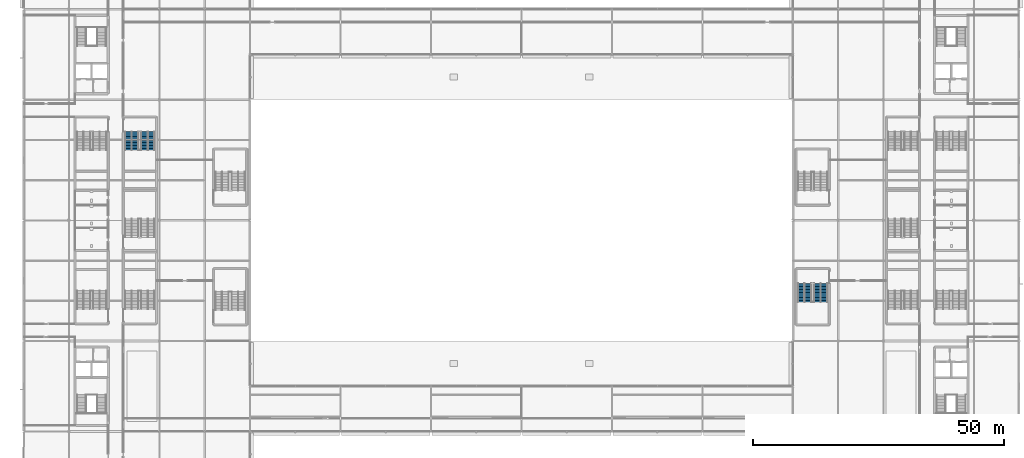
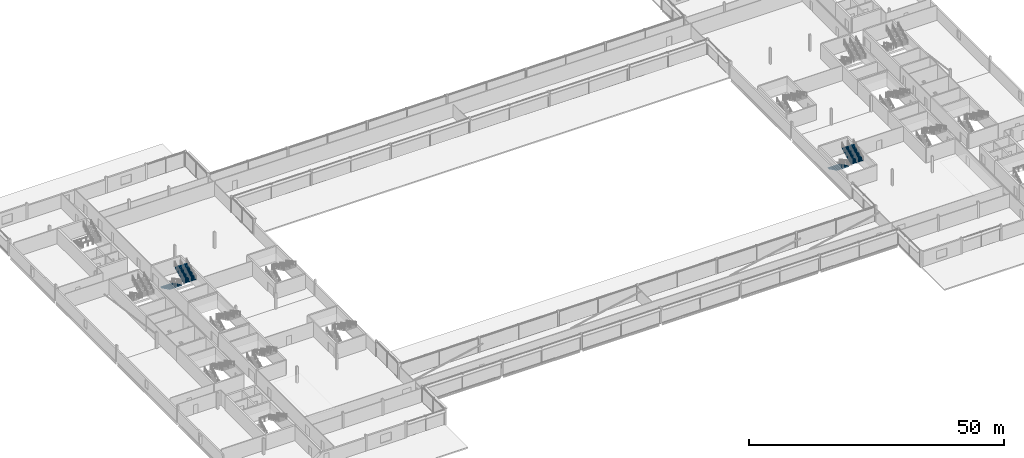
# One storey, part 92 of 105: 4 stair flights, 2 elements without a shape of their own.
"""IFC4 building model written with IfcOpenShell, lengths in metres."""

from ifc_helpers import new_model, si_unit, direction, frame, origin, place, context, subcontext, project, spatial, polygons, material, type_object, element, aggregate, save


model = new_model("IFC4")

# Units and contexts
model_context = context("Model", 3, precision=1e-05, world=origin(), true_north=direction((0.0, 1.0)))
body_context = subcontext(model_context, "Body", "Model", "MODEL_VIEW")
ifc_project = project(units=[si_unit("LENGTHUNIT", "METRE"), si_unit("AREAUNIT", "SQUARE_METRE"), si_unit("VOLUMEUNIT", "CUBIC_METRE"), si_unit("PLANEANGLEUNIT", "RADIAN"), si_unit("MASSUNIT", "GRAM", prefix="KILO")], contexts=[model_context])

# Site, building, storey
site_placement = place(None, origin())
site = spatial("IfcSite", under=ifc_project, at=site_placement, CompositionType="ELEMENT")
building_placement = place(site_placement, origin())
building = spatial("IfcBuilding", under=site, at=building_placement, Name="Kisiwana Market Hall", CompositionType="ELEMENT")
storey_placement = place(building_placement, frame((0.0, 0.0, 21.60009765625)))
storey = spatial("IfcBuildingStorey", under=building, at=storey_placement, Name="L04", CompositionType="ELEMENT", Elevation=21.60009765625)

# Stair, stair flights
ifc_material_1 = material(Name="Concrete C32/40", Category="concrete")
stair_type = type_object("IfcStairType", Name="ST-ESC-3900", PredefinedType="TWO_STRAIGHT_RUN_STAIR", material=ifc_material_1)
stair_1_placement = place(storey_placement, origin())
stair_1 = element("IfcStair", 1, at=stair_1_placement, inside=storey, type_object=stair_type, Name="Escape stair ST-W8-L04", PredefinedType="TWO_STRAIGHT_RUN_STAIR")
ifc_material_2 = material(Name="Concrete C32/40", Category="concrete")
stair_flight_type = type_object("IfcStairFlightType", Name="SF-ESC-3900", PredefinedType="STRAIGHT", material=ifc_material_2)
stair_flight_1_placement = place(storey_placement, frame((21.489990234375, 77.639892578125, 0.0), z_axis=(0.0, 0.0, 1.0), x_axis=(0.0, -1.0, 0.0)))
stair_flight_1 = element("IfcStairFlight", 2, at=stair_flight_1_placement, type_object=stair_flight_type, Name="ST-W8-L04 flight 1", NumberOfRisers=13, NumberOfTreads=12, PredefinedType="STRAIGHT", RiserHeight=0.15, TreadLength=0.305, context=body_context, shape_type="Tessellation", body=[
    polygons([(0.0, -1.380127, 0.0), (0.0, -0.690125, 0.0), (0.0, -0.000122, 0.0), (0.0, 0.68988, 0.0), (0.0, 1.379883, 0.0), (0.0, -1.380127, 0.149902), (0.0, -0.690125, 0.149902), (0.0, -0.000122, 0.149902), (0.0, 0.68988, 0.149902), (0.0, 1.379883, 0.149902), (0.304932, -1.380127, 0.149902), (0.304932, -0.690125, 0.149902), (0.304932, -0.000122, 0.149902), (0.304932, 0.68988, 0.149902), (0.304932, 1.379883, 0.149902), (0.304932, -1.380127, 0.300049), (0.304932, -0.690125, 0.300049), (0.304932, -0.000122, 0.300049), (0.304932, 0.68988, 0.300049), (0.304932, 1.379883, 0.300049), (0.610107, -1.380127, 0.300049), (0.610107, -0.690125, 0.300049), (0.610107, -0.000122, 0.300049), (0.610107, 0.68988, 0.300049), (0.610107, 1.379883, 0.300049), (0.610107, -1.380127, 0.449951), (0.610107, -0.690125, 0.449951), (0.610107, -0.000122, 0.449951), (0.610107, 0.68988, 0.449951), (0.610107, 1.379883, 0.449951), (0.915039, -1.380127, 0.449951), (0.915039, -0.690125, 0.449951), (0.915039, -0.000122, 0.449951), (0.915039, 0.68988, 0.449951), (0.915039, 1.379883, 0.449951), (0.915039, -1.380127, 0.600098), (0.915039, -0.690125, 0.600098), (0.915039, -0.000122, 0.600098), (0.915039, 0.68988, 0.600098), (0.915039, 1.379883, 0.600098), (1.219971, -1.380127, 0.600098), (1.219971, -0.690125, 0.600098), (1.219971, -0.000122, 0.600098), (1.219971, 0.68988, 0.600098), (1.219971, 1.379883, 0.600098), (1.219971, -1.380127, 0.75), (1.219971, -0.690125, 0.75), (1.219971, -0.000122, 0.75), (1.219971, 0.68988, 0.75), (1.219971, 1.379883, 0.75), (1.524902, -1.380127, 0.75), (1.524902, -0.690125, 0.75), (1.524902, -0.000122, 0.75), (1.524902, 0.68988, 0.75), (1.524902, 1.379883, 0.75), (1.524902, -1.380127, 0.899902), (1.524902, -0.690125, 0.899902), (1.524902, -0.000122, 0.899902), (1.524902, 0.68988, 0.899902), (1.524902, 1.379883, 0.899902), (1.830078, -1.380127, 0.899902), (1.830078, -0.690125, 0.899902), (1.830078, -0.000122, 0.899902), (1.830078, 0.68988, 0.899902), (1.830078, 1.379883, 0.899902), (1.830078, -1.380127, 1.050049), (1.830078, -0.690125, 1.050049), (1.830078, -0.000122, 1.050049), (1.830078, 0.68988, 1.050049), (1.830078, 1.379883, 1.050049), (2.13501, -1.380127, 1.050049), (2.13501, -0.690125, 1.050049), (2.13501, -0.000122, 1.050049), (2.13501, 0.68988, 1.050049), (2.13501, 1.379883, 1.050049), (2.13501, -1.380127, 1.199951), (2.13501, -0.690125, 1.199951), (2.13501, -0.000122, 1.199951), (2.13501, 0.68988, 1.199951), (2.13501, 1.379883, 1.199951), (2.439941, -1.380127, 1.199951), (2.439941, -0.690125, 1.199951), (2.439941, -0.000122, 1.199951), (2.439941, 0.68988, 1.199951), (2.439941, 1.379883, 1.199951), (2.439941, -1.380127, 1.350098), (2.439941, -0.690125, 1.350098), (2.439941, -0.000122, 1.350098), (2.439941, 0.68988, 1.350098), (2.439941, 1.379883, 1.350098), (2.745117, -1.380127, 1.350098), (2.745117, -0.690125, 1.350098), (2.745117, -0.000122, 1.350098), (2.745117, 0.68988, 1.350098), (2.745117, 1.379883, 1.350098), (2.745117, -1.380127, 1.5), (2.745117, -0.690125, 1.5), (2.745117, -0.000122, 1.5), (2.745117, 0.68988, 1.5), (2.745117, 1.379883, 1.5), (3.050049, -1.380127, 1.5), (3.050049, -0.690125, 1.5), (3.050049, -0.000122, 1.5), (3.050049, 0.68988, 1.5), (3.050049, 1.379883, 1.5), (3.050049, -1.380127, 1.649902), (3.050049, -0.690125, 1.649902), (3.050049, -0.000122, 1.649902), (3.050049, 0.68988, 1.649902), (3.050049, 1.379883, 1.649902), (3.35498, -1.380127, 1.649902), (3.35498, -0.690125, 1.649902), (3.35498, -0.000122, 1.649902), (3.35498, 0.68988, 1.649902), (3.35498, 1.379883, 1.649902), (3.35498, -1.380127, 1.800049), (3.35498, -0.690125, 1.800049), (3.35498, -0.000122, 1.800049), (3.35498, 0.68988, 1.800049), (3.35498, 1.379883, 1.800049), (3.659912, -1.380127, 1.800049), (3.659912, -0.690125, 1.800049), (3.659912, -0.000122, 1.800049), (3.659912, 0.68988, 1.800049), (3.659912, 1.379883, 1.800049), (3.659912, -1.380127, 1.599365), (3.659912, -0.690125, 1.599365), (3.659912, -0.000122, 1.599365), (3.659912, 0.68988, 1.599365), (3.659912, 1.379883, 1.599365), (0.407715, -1.380127, 0.0), (0.407715, -0.690125, 0.0), (0.407715, -0.000122, 0.0), (0.407715, 0.68988, 0.0), (0.407715, 1.379883, 0.0)], [[[1, 6, 7, 2]], [[2, 7, 8, 3]], [[3, 8, 9, 4]], [[4, 9, 10, 5]], [[6, 11, 12, 7]], [[7, 12, 13, 8]], [[8, 13, 14, 9]], [[9, 14, 15, 10]], [[11, 16, 17, 12]], [[12, 17, 18, 13]], [[13, 18, 19, 14]], [[14, 19, 20, 15]], [[16, 21, 22, 17]], [[17, 22, 23, 18]], [[18, 23, 24, 19]], [[19, 24, 25, 20]], [[21, 26, 27, 22]], [[22, 27, 28, 23]], [[23, 28, 29, 24]], [[24, 29, 30, 25]], [[26, 31, 32, 27]], [[27, 32, 33, 28]], [[28, 33, 34, 29]], [[29, 34, 35, 30]], [[31, 36, 37, 32]], [[32, 37, 38, 33]], [[33, 38, 39, 34]], [[34, 39, 40, 35]], [[36, 41, 42, 37]], [[37, 42, 43, 38]], [[38, 43, 44, 39]], [[39, 44, 45, 40]], [[41, 46, 47, 42]], [[42, 47, 48, 43]], [[43, 48, 49, 44]], [[44, 49, 50, 45]], [[46, 51, 52, 47]], [[47, 52, 53, 48]], [[48, 53, 54, 49]], [[49, 54, 55, 50]], [[51, 56, 57, 52]], [[52, 57, 58, 53]], [[53, 58, 59, 54]], [[54, 59, 60, 55]], [[56, 61, 62, 57]], [[57, 62, 63, 58]], [[58, 63, 64, 59]], [[59, 64, 65, 60]], [[61, 66, 67, 62]], [[62, 67, 68, 63]], [[63, 68, 69, 64]], [[64, 69, 70, 65]], [[66, 71, 72, 67]], [[67, 72, 73, 68]], [[68, 73, 74, 69]], [[69, 74, 75, 70]], [[71, 76, 77, 72]], [[72, 77, 78, 73]], [[73, 78, 79, 74]], [[74, 79, 80, 75]], [[76, 81, 82, 77]], [[77, 82, 83, 78]], [[78, 83, 84, 79]], [[79, 84, 85, 80]], [[81, 86, 87, 82]], [[82, 87, 88, 83]], [[83, 88, 89, 84]], [[84, 89, 90, 85]], [[86, 91, 92, 87]], [[87, 92, 93, 88]], [[88, 93, 94, 89]], [[89, 94, 95, 90]], [[91, 96, 97, 92]], [[92, 97, 98, 93]], [[93, 98, 99, 94]], [[94, 99, 100, 95]], [[96, 101, 102, 97]], [[97, 102, 103, 98]], [[98, 103, 104, 99]], [[99, 104, 105, 100]], [[101, 106, 107, 102]], [[102, 107, 108, 103]], [[103, 108, 109, 104]], [[104, 109, 110, 105]], [[106, 111, 112, 107]], [[107, 112, 113, 108]], [[108, 113, 114, 109]], [[109, 114, 115, 110]], [[111, 116, 117, 112]], [[112, 117, 118, 113]], [[113, 118, 119, 114]], [[114, 119, 120, 115]], [[116, 121, 122, 117]], [[117, 122, 123, 118]], [[118, 123, 124, 119]], [[119, 124, 125, 120]], [[121, 126, 127, 122]], [[122, 127, 128, 123]], [[123, 128, 129, 124]], [[124, 129, 130, 125]], [[126, 131, 132, 127]], [[127, 132, 133, 128]], [[128, 133, 134, 129]], [[129, 134, 135, 130]], [[131, 1, 2, 132]], [[132, 2, 3, 133]], [[133, 3, 4, 134]], [[134, 4, 5, 135]], [[131, 126, 121, 116, 111, 106, 101, 96, 91, 86, 81, 76, 71, 66, 61, 56, 51, 46, 41, 36, 31, 26, 21, 16, 11, 6, 1]], [[5, 10, 15, 20, 25, 30, 35, 40, 45, 50, 55, 60, 65, 70, 75, 80, 85, 90, 95, 100, 105, 110, 115, 120, 125, 130, 135]]], closed=True),
])
stair_flight_2_placement = place(storey_placement, frame((24.7099609375, 73.97998046875, 1.949951171875), z_axis=(0.0, 0.0, 1.0), x_axis=(0.0, 1.0, 0.0)))
stair_flight_2 = element("IfcStairFlight", 3, at=stair_flight_2_placement, type_object=stair_flight_type, Name="ST-W8-L04 flight 2", NumberOfRisers=13, NumberOfTreads=12, PredefinedType="STRAIGHT", RiserHeight=0.15, TreadLength=0.305, context=body_context, shape_type="Tessellation", body=[
    polygons([(0.0, -1.380127, 0.0), (0.0, -0.690125, 0.0), (0.0, -0.000122, 0.0), (0.0, 0.68988, 0.0), (0.0, 1.379883, 0.0), (0.0, -1.380127, 0.149902), (0.0, -0.690125, 0.149902), (0.0, -0.000122, 0.149902), (0.0, 0.68988, 0.149902), (0.0, 1.379883, 0.149902), (0.304932, -1.380127, 0.149902), (0.304932, -0.690125, 0.149902), (0.304932, -0.000122, 0.149902), (0.304932, 0.68988, 0.149902), (0.304932, 1.379883, 0.149902), (0.304932, -1.380127, 0.300049), (0.304932, -0.690125, 0.300049), (0.304932, -0.000122, 0.300049), (0.304932, 0.68988, 0.300049), (0.304932, 1.379883, 0.300049), (0.610107, -1.380127, 0.300049), (0.610107, -0.690125, 0.300049), (0.610107, -0.000122, 0.300049), (0.610107, 0.68988, 0.300049), (0.610107, 1.379883, 0.300049), (0.610107, -1.380127, 0.449951), (0.610107, -0.690125, 0.449951), (0.610107, -0.000122, 0.449951), (0.610107, 0.68988, 0.449951), (0.610107, 1.379883, 0.449951), (0.915039, -1.380127, 0.449951), (0.915039, -0.690125, 0.449951), (0.915039, -0.000122, 0.449951), (0.915039, 0.68988, 0.449951), (0.915039, 1.379883, 0.449951), (0.915039, -1.380127, 0.600098), (0.915039, -0.690125, 0.600098), (0.915039, -0.000122, 0.600098), (0.915039, 0.68988, 0.600098), (0.915039, 1.379883, 0.600098), (1.219971, -1.380127, 0.600098), (1.219971, -0.690125, 0.600098), (1.219971, -0.000122, 0.600098), (1.219971, 0.68988, 0.600098), (1.219971, 1.379883, 0.600098), (1.219971, -1.380127, 0.75), (1.219971, -0.690125, 0.75), (1.219971, -0.000122, 0.75), (1.219971, 0.68988, 0.75), (1.219971, 1.379883, 0.75), (1.524902, -1.380127, 0.75), (1.524902, -0.690125, 0.75), (1.524902, -0.000122, 0.75), (1.524902, 0.68988, 0.75), (1.524902, 1.379883, 0.75), (1.524902, -1.380127, 0.899902), (1.524902, -0.690125, 0.899902), (1.524902, -0.000122, 0.899902), (1.524902, 0.68988, 0.899902), (1.524902, 1.379883, 0.899902), (1.830078, -1.380127, 0.899902), (1.830078, -0.690125, 0.899902), (1.830078, -0.000122, 0.899902), (1.830078, 0.68988, 0.899902), (1.830078, 1.379883, 0.899902), (1.830078, -1.380127, 1.050049), (1.830078, -0.690125, 1.050049), (1.830078, -0.000122, 1.050049), (1.830078, 0.68988, 1.050049), (1.830078, 1.379883, 1.050049), (2.13501, -1.380127, 1.050049), (2.13501, -0.690125, 1.050049), (2.13501, -0.000122, 1.050049), (2.13501, 0.68988, 1.050049), (2.13501, 1.379883, 1.050049), (2.13501, -1.380127, 1.199951), (2.13501, -0.690125, 1.199951), (2.13501, -0.000122, 1.199951), (2.13501, 0.68988, 1.199951), (2.13501, 1.379883, 1.199951), (2.439941, -1.380127, 1.199951), (2.439941, -0.690125, 1.199951), (2.439941, -0.000122, 1.199951), (2.439941, 0.68988, 1.199951), (2.439941, 1.379883, 1.199951), (2.439941, -1.380127, 1.350098), (2.439941, -0.690125, 1.350098), (2.439941, -0.000122, 1.350098), (2.439941, 0.68988, 1.350098), (2.439941, 1.379883, 1.350098), (2.745117, -1.380127, 1.350098), (2.745117, -0.690125, 1.350098), (2.745117, -0.000122, 1.350098), (2.745117, 0.68988, 1.350098), (2.745117, 1.379883, 1.350098), (2.745117, -1.380127, 1.5), (2.745117, -0.690125, 1.5), (2.745117, -0.000122, 1.5), (2.745117, 0.68988, 1.5), (2.745117, 1.379883, 1.5), (3.050049, -1.380127, 1.5), (3.050049, -0.690125, 1.5), (3.050049, -0.000122, 1.5), (3.050049, 0.68988, 1.5), (3.050049, 1.379883, 1.5), (3.050049, -1.380127, 1.649902), (3.050049, -0.690125, 1.649902), (3.050049, -0.000122, 1.649902), (3.050049, 0.68988, 1.649902), (3.050049, 1.379883, 1.649902), (3.35498, -1.380127, 1.649902), (3.35498, -0.690125, 1.649902), (3.35498, -0.000122, 1.649902), (3.35498, 0.68988, 1.649902), (3.35498, 1.379883, 1.649902), (3.35498, -1.380127, 1.800049), (3.35498, -0.690125, 1.800049), (3.35498, -0.000122, 1.800049), (3.35498, 0.68988, 1.800049), (3.35498, 1.379883, 1.800049), (3.659912, -1.380127, 1.800049), (3.659912, -0.690125, 1.800049), (3.659912, -0.000122, 1.800049), (3.659912, 0.68988, 1.800049), (3.659912, 1.379883, 1.800049), (3.659912, -1.380127, 1.599365), (3.659912, -0.690125, 1.599365), (3.659912, -0.000122, 1.599365), (3.659912, 0.68988, 1.599365), (3.659912, 1.379883, 1.599365), (0.407715, -1.380127, 0.0), (0.407715, -0.690125, 0.0), (0.407715, -0.000122, 0.0), (0.407715, 0.68988, 0.0), (0.407715, 1.379883, 0.0)], [[[1, 6, 7, 2]], [[2, 7, 8, 3]], [[3, 8, 9, 4]], [[4, 9, 10, 5]], [[6, 11, 12, 7]], [[7, 12, 13, 8]], [[8, 13, 14, 9]], [[9, 14, 15, 10]], [[11, 16, 17, 12]], [[12, 17, 18, 13]], [[13, 18, 19, 14]], [[14, 19, 20, 15]], [[16, 21, 22, 17]], [[17, 22, 23, 18]], [[18, 23, 24, 19]], [[19, 24, 25, 20]], [[21, 26, 27, 22]], [[22, 27, 28, 23]], [[23, 28, 29, 24]], [[24, 29, 30, 25]], [[26, 31, 32, 27]], [[27, 32, 33, 28]], [[28, 33, 34, 29]], [[29, 34, 35, 30]], [[31, 36, 37, 32]], [[32, 37, 38, 33]], [[33, 38, 39, 34]], [[34, 39, 40, 35]], [[36, 41, 42, 37]], [[37, 42, 43, 38]], [[38, 43, 44, 39]], [[39, 44, 45, 40]], [[41, 46, 47, 42]], [[42, 47, 48, 43]], [[43, 48, 49, 44]], [[44, 49, 50, 45]], [[46, 51, 52, 47]], [[47, 52, 53, 48]], [[48, 53, 54, 49]], [[49, 54, 55, 50]], [[51, 56, 57, 52]], [[52, 57, 58, 53]], [[53, 58, 59, 54]], [[54, 59, 60, 55]], [[56, 61, 62, 57]], [[57, 62, 63, 58]], [[58, 63, 64, 59]], [[59, 64, 65, 60]], [[61, 66, 67, 62]], [[62, 67, 68, 63]], [[63, 68, 69, 64]], [[64, 69, 70, 65]], [[66, 71, 72, 67]], [[67, 72, 73, 68]], [[68, 73, 74, 69]], [[69, 74, 75, 70]], [[71, 76, 77, 72]], [[72, 77, 78, 73]], [[73, 78, 79, 74]], [[74, 79, 80, 75]], [[76, 81, 82, 77]], [[77, 82, 83, 78]], [[78, 83, 84, 79]], [[79, 84, 85, 80]], [[81, 86, 87, 82]], [[82, 87, 88, 83]], [[83, 88, 89, 84]], [[84, 89, 90, 85]], [[86, 91, 92, 87]], [[87, 92, 93, 88]], [[88, 93, 94, 89]], [[89, 94, 95, 90]], [[91, 96, 97, 92]], [[92, 97, 98, 93]], [[93, 98, 99, 94]], [[94, 99, 100, 95]], [[96, 101, 102, 97]], [[97, 102, 103, 98]], [[98, 103, 104, 99]], [[99, 104, 105, 100]], [[101, 106, 107, 102]], [[102, 107, 108, 103]], [[103, 108, 109, 104]], [[104, 109, 110, 105]], [[106, 111, 112, 107]], [[107, 112, 113, 108]], [[108, 113, 114, 109]], [[109, 114, 115, 110]], [[111, 116, 117, 112]], [[112, 117, 118, 113]], [[113, 118, 119, 114]], [[114, 119, 120, 115]], [[116, 121, 122, 117]], [[117, 122, 123, 118]], [[118, 123, 124, 119]], [[119, 124, 125, 120]], [[121, 126, 127, 122]], [[122, 127, 128, 123]], [[123, 128, 129, 124]], [[124, 129, 130, 125]], [[126, 131, 132, 127]], [[127, 132, 133, 128]], [[128, 133, 134, 129]], [[129, 134, 135, 130]], [[131, 1, 2, 132]], [[132, 2, 3, 133]], [[133, 3, 4, 134]], [[134, 4, 5, 135]], [[131, 126, 121, 116, 111, 106, 101, 96, 91, 86, 81, 76, 71, 66, 61, 56, 51, 46, 41, 36, 31, 26, 21, 16, 11, 6, 1]], [[5, 10, 15, 20, 25, 30, 35, 40, 45, 50, 55, 60, 65, 70, 75, 80, 85, 90, 95, 100, 105, 110, 115, 120, 125, 130, 135]]], closed=True),
])
aggregate(stair_1, [stair_flight_1, stair_flight_2])

stair_2_placement = place(storey_placement, origin())
stair_2 = element("IfcStair", 4, at=stair_2_placement, inside=storey, type_object=stair_type, Name="Escape stair ST-E9-L04", PredefinedType="TWO_STRAIGHT_RUN_STAIR")
stair_flight_3_placement = place(storey_placement, frame((155.320068359375, 47.43994140625, 0.0), z_axis=(0.0, 0.0, 1.0), x_axis=(0.0, -1.0, 0.0)))
stair_flight_3 = element("IfcStairFlight", 5, at=stair_flight_3_placement, type_object=stair_flight_type, Name="ST-E9-L04 flight 1", NumberOfRisers=13, NumberOfTreads=12, PredefinedType="STRAIGHT", RiserHeight=0.15, TreadLength=0.305, context=body_context, shape_type="Tessellation", body=[
    polygons([(0.0, -1.380127, 0.0), (0.0, -0.690125, 0.0), (0.0, -0.000122, 0.0), (0.0, 0.68988, 0.0), (0.0, 1.379883, 0.0), (0.0, -1.380127, 0.149902), (0.0, -0.690125, 0.149902), (0.0, -0.000122, 0.149902), (0.0, 0.68988, 0.149902), (0.0, 1.379883, 0.149902), (0.304932, -1.380127, 0.149902), (0.304932, -0.690125, 0.149902), (0.304932, -0.000122, 0.149902), (0.304932, 0.68988, 0.149902), (0.304932, 1.379883, 0.149902), (0.304932, -1.380127, 0.300049), (0.304932, -0.690125, 0.300049), (0.304932, -0.000122, 0.300049), (0.304932, 0.68988, 0.300049), (0.304932, 1.379883, 0.300049), (0.610107, -1.380127, 0.300049), (0.610107, -0.690125, 0.300049), (0.610107, -0.000122, 0.300049), (0.610107, 0.68988, 0.300049), (0.610107, 1.379883, 0.300049), (0.610107, -1.380127, 0.449951), (0.610107, -0.690125, 0.449951), (0.610107, -0.000122, 0.449951), (0.610107, 0.68988, 0.449951), (0.610107, 1.379883, 0.449951), (0.915039, -1.380127, 0.449951), (0.915039, -0.690125, 0.449951), (0.915039, -0.000122, 0.449951), (0.915039, 0.68988, 0.449951), (0.915039, 1.379883, 0.449951), (0.915039, -1.380127, 0.600098), (0.915039, -0.690125, 0.600098), (0.915039, -0.000122, 0.600098), (0.915039, 0.68988, 0.600098), (0.915039, 1.379883, 0.600098), (1.219971, -1.380127, 0.600098), (1.219971, -0.690125, 0.600098), (1.219971, -0.000122, 0.600098), (1.219971, 0.68988, 0.600098), (1.219971, 1.379883, 0.600098), (1.219971, -1.380127, 0.75), (1.219971, -0.690125, 0.75), (1.219971, -0.000122, 0.75), (1.219971, 0.68988, 0.75), (1.219971, 1.379883, 0.75), (1.524902, -1.380127, 0.75), (1.524902, -0.690125, 0.75), (1.524902, -0.000122, 0.75), (1.524902, 0.68988, 0.75), (1.524902, 1.379883, 0.75), (1.524902, -1.380127, 0.899902), (1.524902, -0.690125, 0.899902), (1.524902, -0.000122, 0.899902), (1.524902, 0.68988, 0.899902), (1.524902, 1.379883, 0.899902), (1.830078, -1.380127, 0.899902), (1.830078, -0.690125, 0.899902), (1.830078, -0.000122, 0.899902), (1.830078, 0.68988, 0.899902), (1.830078, 1.379883, 0.899902), (1.830078, -1.380127, 1.050049), (1.830078, -0.690125, 1.050049), (1.830078, -0.000122, 1.050049), (1.830078, 0.68988, 1.050049), (1.830078, 1.379883, 1.050049), (2.13501, -1.380127, 1.050049), (2.13501, -0.690125, 1.050049), (2.13501, -0.000122, 1.050049), (2.13501, 0.68988, 1.050049), (2.13501, 1.379883, 1.050049), (2.13501, -1.380127, 1.199951), (2.13501, -0.690125, 1.199951), (2.13501, -0.000122, 1.199951), (2.13501, 0.68988, 1.199951), (2.13501, 1.379883, 1.199951), (2.439941, -1.380127, 1.199951), (2.439941, -0.690125, 1.199951), (2.439941, -0.000122, 1.199951), (2.439941, 0.68988, 1.199951), (2.439941, 1.379883, 1.199951), (2.439941, -1.380127, 1.350098), (2.439941, -0.690125, 1.350098), (2.439941, -0.000122, 1.350098), (2.439941, 0.68988, 1.350098), (2.439941, 1.379883, 1.350098), (2.745117, -1.380127, 1.350098), (2.745117, -0.690125, 1.350098), (2.745117, -0.000122, 1.350098), (2.745117, 0.68988, 1.350098), (2.745117, 1.379883, 1.350098), (2.745117, -1.380127, 1.5), (2.745117, -0.690125, 1.5), (2.745117, -0.000122, 1.5), (2.745117, 0.68988, 1.5), (2.745117, 1.379883, 1.5), (3.050049, -1.380127, 1.5), (3.050049, -0.690125, 1.5), (3.050049, -0.000122, 1.5), (3.050049, 0.68988, 1.5), (3.050049, 1.379883, 1.5), (3.050049, -1.380127, 1.649902), (3.050049, -0.690125, 1.649902), (3.050049, -0.000122, 1.649902), (3.050049, 0.68988, 1.649902), (3.050049, 1.379883, 1.649902), (3.35498, -1.380127, 1.649902), (3.35498, -0.690125, 1.649902), (3.35498, -0.000122, 1.649902), (3.35498, 0.68988, 1.649902), (3.35498, 1.379883, 1.649902), (3.35498, -1.380127, 1.800049), (3.35498, -0.690125, 1.800049), (3.35498, -0.000122, 1.800049), (3.35498, 0.68988, 1.800049), (3.35498, 1.379883, 1.800049), (3.659912, -1.380127, 1.800049), (3.659912, -0.690125, 1.800049), (3.659912, -0.000122, 1.800049), (3.659912, 0.68988, 1.800049), (3.659912, 1.379883, 1.800049), (3.659912, -1.380127, 1.599365), (3.659912, -0.690125, 1.599365), (3.659912, -0.000122, 1.599365), (3.659912, 0.68988, 1.599365), (3.659912, 1.379883, 1.599365), (0.407715, -1.380127, 0.0), (0.407715, -0.690125, 0.0), (0.407715, -0.000122, 0.0), (0.407715, 0.68988, 0.0), (0.407715, 1.379883, 0.0)], [[[1, 6, 7, 2]], [[2, 7, 8, 3]], [[3, 8, 9, 4]], [[4, 9, 10, 5]], [[6, 11, 12, 7]], [[7, 12, 13, 8]], [[8, 13, 14, 9]], [[9, 14, 15, 10]], [[11, 16, 17, 12]], [[12, 17, 18, 13]], [[13, 18, 19, 14]], [[14, 19, 20, 15]], [[16, 21, 22, 17]], [[17, 22, 23, 18]], [[18, 23, 24, 19]], [[19, 24, 25, 20]], [[21, 26, 27, 22]], [[22, 27, 28, 23]], [[23, 28, 29, 24]], [[24, 29, 30, 25]], [[26, 31, 32, 27]], [[27, 32, 33, 28]], [[28, 33, 34, 29]], [[29, 34, 35, 30]], [[31, 36, 37, 32]], [[32, 37, 38, 33]], [[33, 38, 39, 34]], [[34, 39, 40, 35]], [[36, 41, 42, 37]], [[37, 42, 43, 38]], [[38, 43, 44, 39]], [[39, 44, 45, 40]], [[41, 46, 47, 42]], [[42, 47, 48, 43]], [[43, 48, 49, 44]], [[44, 49, 50, 45]], [[46, 51, 52, 47]], [[47, 52, 53, 48]], [[48, 53, 54, 49]], [[49, 54, 55, 50]], [[51, 56, 57, 52]], [[52, 57, 58, 53]], [[53, 58, 59, 54]], [[54, 59, 60, 55]], [[56, 61, 62, 57]], [[57, 62, 63, 58]], [[58, 63, 64, 59]], [[59, 64, 65, 60]], [[61, 66, 67, 62]], [[62, 67, 68, 63]], [[63, 68, 69, 64]], [[64, 69, 70, 65]], [[66, 71, 72, 67]], [[67, 72, 73, 68]], [[68, 73, 74, 69]], [[69, 74, 75, 70]], [[71, 76, 77, 72]], [[72, 77, 78, 73]], [[73, 78, 79, 74]], [[74, 79, 80, 75]], [[76, 81, 82, 77]], [[77, 82, 83, 78]], [[78, 83, 84, 79]], [[79, 84, 85, 80]], [[81, 86, 87, 82]], [[82, 87, 88, 83]], [[83, 88, 89, 84]], [[84, 89, 90, 85]], [[86, 91, 92, 87]], [[87, 92, 93, 88]], [[88, 93, 94, 89]], [[89, 94, 95, 90]], [[91, 96, 97, 92]], [[92, 97, 98, 93]], [[93, 98, 99, 94]], [[94, 99, 100, 95]], [[96, 101, 102, 97]], [[97, 102, 103, 98]], [[98, 103, 104, 99]], [[99, 104, 105, 100]], [[101, 106, 107, 102]], [[102, 107, 108, 103]], [[103, 108, 109, 104]], [[104, 109, 110, 105]], [[106, 111, 112, 107]], [[107, 112, 113, 108]], [[108, 113, 114, 109]], [[109, 114, 115, 110]], [[111, 116, 117, 112]], [[112, 117, 118, 113]], [[113, 118, 119, 114]], [[114, 119, 120, 115]], [[116, 121, 122, 117]], [[117, 122, 123, 118]], [[118, 123, 124, 119]], [[119, 124, 125, 120]], [[121, 126, 127, 122]], [[122, 127, 128, 123]], [[123, 128, 129, 124]], [[124, 129, 130, 125]], [[126, 131, 132, 127]], [[127, 132, 133, 128]], [[128, 133, 134, 129]], [[129, 134, 135, 130]], [[131, 1, 2, 132]], [[132, 2, 3, 133]], [[133, 3, 4, 134]], [[134, 4, 5, 135]], [[131, 126, 121, 116, 111, 106, 101, 96, 91, 86, 81, 76, 71, 66, 61, 56, 51, 46, 41, 36, 31, 26, 21, 16, 11, 6, 1]], [[5, 10, 15, 20, 25, 30, 35, 40, 45, 50, 55, 60, 65, 70, 75, 80, 85, 90, 95, 100, 105, 110, 115, 120, 125, 130, 135]]], closed=True),
])
stair_flight_4_placement = place(storey_placement, frame((158.5400390625, 43.780029296875, 1.949951171875), z_axis=(0.0, 0.0, 1.0), x_axis=(0.0, 1.0, 0.0)))
stair_flight_4 = element("IfcStairFlight", 6, at=stair_flight_4_placement, type_object=stair_flight_type, Name="ST-E9-L04 flight 2", NumberOfRisers=13, NumberOfTreads=12, PredefinedType="STRAIGHT", RiserHeight=0.15, TreadLength=0.305, context=body_context, shape_type="Tessellation", body=[
    polygons([(0.0, -1.380127, 0.0), (0.0, -0.690125, 0.0), (0.0, -0.000122, 0.0), (0.0, 0.68988, 0.0), (0.0, 1.379883, 0.0), (0.0, -1.380127, 0.149902), (0.0, -0.690125, 0.149902), (0.0, -0.000122, 0.149902), (0.0, 0.68988, 0.149902), (0.0, 1.379883, 0.149902), (0.304932, -1.380127, 0.149902), (0.304932, -0.690125, 0.149902), (0.304932, -0.000122, 0.149902), (0.304932, 0.68988, 0.149902), (0.304932, 1.379883, 0.149902), (0.304932, -1.380127, 0.300049), (0.304932, -0.690125, 0.300049), (0.304932, -0.000122, 0.300049), (0.304932, 0.68988, 0.300049), (0.304932, 1.379883, 0.300049), (0.610107, -1.380127, 0.300049), (0.610107, -0.690125, 0.300049), (0.610107, -0.000122, 0.300049), (0.610107, 0.68988, 0.300049), (0.610107, 1.379883, 0.300049), (0.610107, -1.380127, 0.449951), (0.610107, -0.690125, 0.449951), (0.610107, -0.000122, 0.449951), (0.610107, 0.68988, 0.449951), (0.610107, 1.379883, 0.449951), (0.915039, -1.380127, 0.449951), (0.915039, -0.690125, 0.449951), (0.915039, -0.000122, 0.449951), (0.915039, 0.68988, 0.449951), (0.915039, 1.379883, 0.449951), (0.915039, -1.380127, 0.600098), (0.915039, -0.690125, 0.600098), (0.915039, -0.000122, 0.600098), (0.915039, 0.68988, 0.600098), (0.915039, 1.379883, 0.600098), (1.219971, -1.380127, 0.600098), (1.219971, -0.690125, 0.600098), (1.219971, -0.000122, 0.600098), (1.219971, 0.68988, 0.600098), (1.219971, 1.379883, 0.600098), (1.219971, -1.380127, 0.75), (1.219971, -0.690125, 0.75), (1.219971, -0.000122, 0.75), (1.219971, 0.68988, 0.75), (1.219971, 1.379883, 0.75), (1.524902, -1.380127, 0.75), (1.524902, -0.690125, 0.75), (1.524902, -0.000122, 0.75), (1.524902, 0.68988, 0.75), (1.524902, 1.379883, 0.75), (1.524902, -1.380127, 0.899902), (1.524902, -0.690125, 0.899902), (1.524902, -0.000122, 0.899902), (1.524902, 0.68988, 0.899902), (1.524902, 1.379883, 0.899902), (1.830078, -1.380127, 0.899902), (1.830078, -0.690125, 0.899902), (1.830078, -0.000122, 0.899902), (1.830078, 0.68988, 0.899902), (1.830078, 1.379883, 0.899902), (1.830078, -1.380127, 1.050049), (1.830078, -0.690125, 1.050049), (1.830078, -0.000122, 1.050049), (1.830078, 0.68988, 1.050049), (1.830078, 1.379883, 1.050049), (2.13501, -1.380127, 1.050049), (2.13501, -0.690125, 1.050049), (2.13501, -0.000122, 1.050049), (2.13501, 0.68988, 1.050049), (2.13501, 1.379883, 1.050049), (2.13501, -1.380127, 1.199951), (2.13501, -0.690125, 1.199951), (2.13501, -0.000122, 1.199951), (2.13501, 0.68988, 1.199951), (2.13501, 1.379883, 1.199951), (2.439941, -1.380127, 1.199951), (2.439941, -0.690125, 1.199951), (2.439941, -0.000122, 1.199951), (2.439941, 0.68988, 1.199951), (2.439941, 1.379883, 1.199951), (2.439941, -1.380127, 1.350098), (2.439941, -0.690125, 1.350098), (2.439941, -0.000122, 1.350098), (2.439941, 0.68988, 1.350098), (2.439941, 1.379883, 1.350098), (2.745117, -1.380127, 1.350098), (2.745117, -0.690125, 1.350098), (2.745117, -0.000122, 1.350098), (2.745117, 0.68988, 1.350098), (2.745117, 1.379883, 1.350098), (2.745117, -1.380127, 1.5), (2.745117, -0.690125, 1.5), (2.745117, -0.000122, 1.5), (2.745117, 0.68988, 1.5), (2.745117, 1.379883, 1.5), (3.050049, -1.380127, 1.5), (3.050049, -0.690125, 1.5), (3.050049, -0.000122, 1.5), (3.050049, 0.68988, 1.5), (3.050049, 1.379883, 1.5), (3.050049, -1.380127, 1.649902), (3.050049, -0.690125, 1.649902), (3.050049, -0.000122, 1.649902), (3.050049, 0.68988, 1.649902), (3.050049, 1.379883, 1.649902), (3.35498, -1.380127, 1.649902), (3.35498, -0.690125, 1.649902), (3.35498, -0.000122, 1.649902), (3.35498, 0.68988, 1.649902), (3.35498, 1.379883, 1.649902), (3.35498, -1.380127, 1.800049), (3.35498, -0.690125, 1.800049), (3.35498, -0.000122, 1.800049), (3.35498, 0.68988, 1.800049), (3.35498, 1.379883, 1.800049), (3.659912, -1.380127, 1.800049), (3.659912, -0.690125, 1.800049), (3.659912, -0.000122, 1.800049), (3.659912, 0.68988, 1.800049), (3.659912, 1.379883, 1.800049), (3.659912, -1.380127, 1.599365), (3.659912, -0.690125, 1.599365), (3.659912, -0.000122, 1.599365), (3.659912, 0.68988, 1.599365), (3.659912, 1.379883, 1.599365), (0.407715, -1.380127, 0.0), (0.407715, -0.690125, 0.0), (0.407715, -0.000122, 0.0), (0.407715, 0.68988, 0.0), (0.407715, 1.379883, 0.0)], [[[1, 6, 7, 2]], [[2, 7, 8, 3]], [[3, 8, 9, 4]], [[4, 9, 10, 5]], [[6, 11, 12, 7]], [[7, 12, 13, 8]], [[8, 13, 14, 9]], [[9, 14, 15, 10]], [[11, 16, 17, 12]], [[12, 17, 18, 13]], [[13, 18, 19, 14]], [[14, 19, 20, 15]], [[16, 21, 22, 17]], [[17, 22, 23, 18]], [[18, 23, 24, 19]], [[19, 24, 25, 20]], [[21, 26, 27, 22]], [[22, 27, 28, 23]], [[23, 28, 29, 24]], [[24, 29, 30, 25]], [[26, 31, 32, 27]], [[27, 32, 33, 28]], [[28, 33, 34, 29]], [[29, 34, 35, 30]], [[31, 36, 37, 32]], [[32, 37, 38, 33]], [[33, 38, 39, 34]], [[34, 39, 40, 35]], [[36, 41, 42, 37]], [[37, 42, 43, 38]], [[38, 43, 44, 39]], [[39, 44, 45, 40]], [[41, 46, 47, 42]], [[42, 47, 48, 43]], [[43, 48, 49, 44]], [[44, 49, 50, 45]], [[46, 51, 52, 47]], [[47, 52, 53, 48]], [[48, 53, 54, 49]], [[49, 54, 55, 50]], [[51, 56, 57, 52]], [[52, 57, 58, 53]], [[53, 58, 59, 54]], [[54, 59, 60, 55]], [[56, 61, 62, 57]], [[57, 62, 63, 58]], [[58, 63, 64, 59]], [[59, 64, 65, 60]], [[61, 66, 67, 62]], [[62, 67, 68, 63]], [[63, 68, 69, 64]], [[64, 69, 70, 65]], [[66, 71, 72, 67]], [[67, 72, 73, 68]], [[68, 73, 74, 69]], [[69, 74, 75, 70]], [[71, 76, 77, 72]], [[72, 77, 78, 73]], [[73, 78, 79, 74]], [[74, 79, 80, 75]], [[76, 81, 82, 77]], [[77, 82, 83, 78]], [[78, 83, 84, 79]], [[79, 84, 85, 80]], [[81, 86, 87, 82]], [[82, 87, 88, 83]], [[83, 88, 89, 84]], [[84, 89, 90, 85]], [[86, 91, 92, 87]], [[87, 92, 93, 88]], [[88, 93, 94, 89]], [[89, 94, 95, 90]], [[91, 96, 97, 92]], [[92, 97, 98, 93]], [[93, 98, 99, 94]], [[94, 99, 100, 95]], [[96, 101, 102, 97]], [[97, 102, 103, 98]], [[98, 103, 104, 99]], [[99, 104, 105, 100]], [[101, 106, 107, 102]], [[102, 107, 108, 103]], [[103, 108, 109, 104]], [[104, 109, 110, 105]], [[106, 111, 112, 107]], [[107, 112, 113, 108]], [[108, 113, 114, 109]], [[109, 114, 115, 110]], [[111, 116, 117, 112]], [[112, 117, 118, 113]], [[113, 118, 119, 114]], [[114, 119, 120, 115]], [[116, 121, 122, 117]], [[117, 122, 123, 118]], [[118, 123, 124, 119]], [[119, 124, 125, 120]], [[121, 126, 127, 122]], [[122, 127, 128, 123]], [[123, 128, 129, 124]], [[124, 129, 130, 125]], [[126, 131, 132, 127]], [[127, 132, 133, 128]], [[128, 133, 134, 129]], [[129, 134, 135, 130]], [[131, 1, 2, 132]], [[132, 2, 3, 133]], [[133, 3, 4, 134]], [[134, 4, 5, 135]], [[131, 126, 121, 116, 111, 106, 101, 96, 91, 86, 81, 76, 71, 66, 61, 56, 51, 46, 41, 36, 31, 26, 21, 16, 11, 6, 1]], [[5, 10, 15, 20, 25, 30, 35, 40, 45, 50, 55, 60, 65, 70, 75, 80, 85, 90, 95, 100, 105, 110, 115, 120, 125, 130, 135]]], closed=True),
])
aggregate(stair_2, [stair_flight_3, stair_flight_4])

save(model, "model.ifc")
